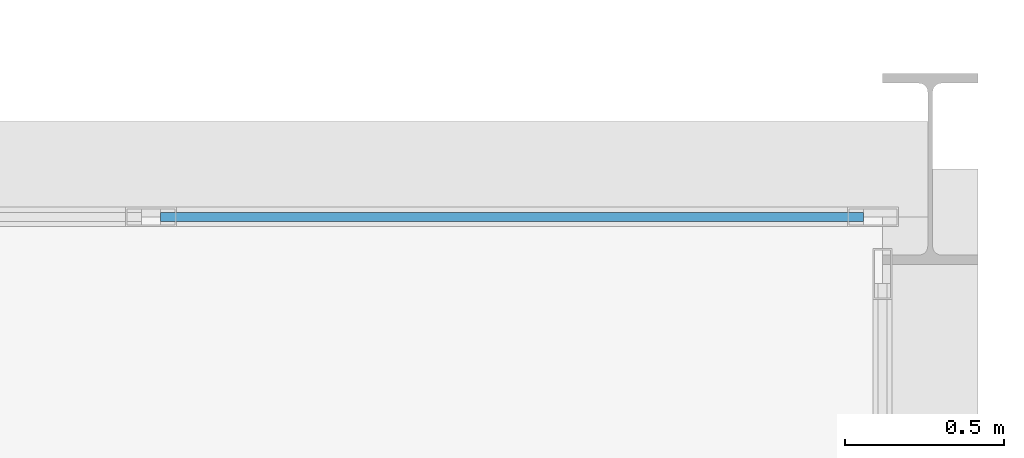
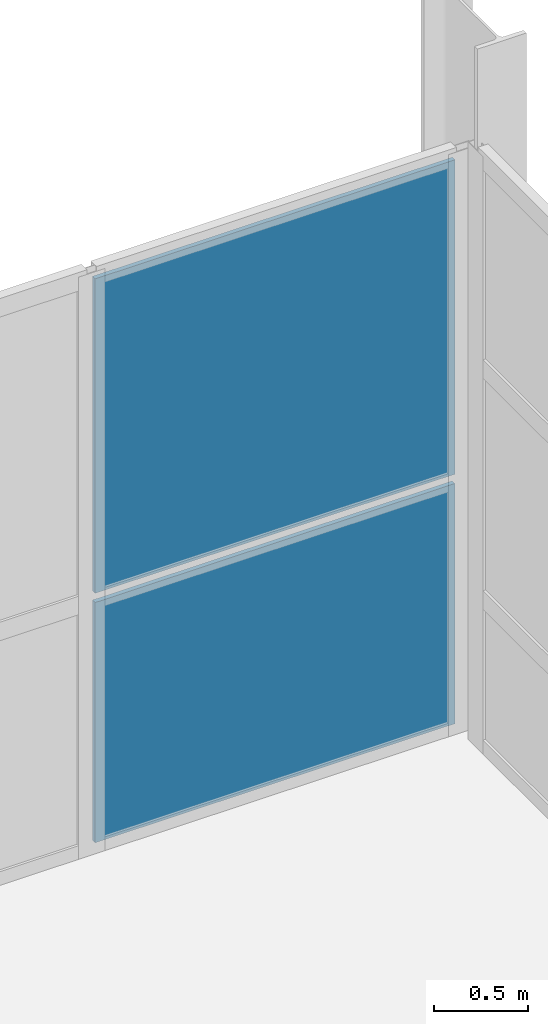
# One storey, part 113 of 130: 2 plates, 1 element without a shape of its own.
"""IFC4 building model written with IfcOpenShell, lengths in metres."""

from ifc_helpers import new_model, si_unit, direction, frame, origin, origin_2d, place, context, subcontext, project, spatial, rectangle, extrude, material, layer, layer_set, type_object, element, aggregate, save


model = new_model("IFC4")

# Units and contexts
model_context = context("Model", 3, precision=1e-05, world=origin(), true_north=direction((0.0, 1.0)))
body_context = subcontext(model_context, "Body", "Model", "MODEL_VIEW")
ifc_project = project(units=[si_unit("LENGTHUNIT", "METRE"), si_unit("AREAUNIT", "SQUARE_METRE"), si_unit("VOLUMEUNIT", "CUBIC_METRE"), si_unit("PLANEANGLEUNIT", "RADIAN"), si_unit("MASSUNIT", "GRAM", prefix="KILO")], contexts=[model_context])

# Site, building, storey
site_placement = place(None, origin())
site = spatial("IfcSite", under=ifc_project, at=site_placement, CompositionType="ELEMENT")
building_placement = place(site_placement, origin())
building = spatial("IfcBuilding", under=site, at=building_placement, Name="Veltarok Museum of Natural Sciences", CompositionType="ELEMENT")
storey_placement = place(building_placement, frame((0.0, 0.0, 12.89990234375)))
storey = spatial("IfcBuildingStorey", under=building, at=storey_placement, Name="L02", CompositionType="ELEMENT", Elevation=12.89990234375)

# Curtain wall, plates
ifc_material = material(Name="Low-iron triple insulated glass", Category="glass")
curtain_wall_type = type_object("IfcCurtainWallType", Name="Curtain Wall System CW-V5N-L02-2-690x378 (CW-V5N L02 690x378cm)", PredefinedType="NOTDEFINED", material=ifc_material)
curtain_wall_placement = place(storey_placement, origin())
curtain_wall = element("IfcCurtainWall", 1, at=curtain_wall_placement, inside=storey, type_object=curtain_wall_type, Name="Curtain Wall CW-V5N-L02-2-690x378 CW-0206", PredefinedType="NOTDEFINED")
ifc_layer = layer(ifc_material, 0.028076171875)
ifc_layer_set = layer_set([ifc_layer], Name="Low-iron triple insulated glass")
plate_type = type_object("IfcPlateType", Name="Triple Low-Iron Glazed Vision Panel 28", PredefinedType="CURTAIN_PANEL", material=ifc_layer_set)
plate_1_placement = place(storey_placement, frame((163.485107421875, 71.85009765625, 0.05810546875), z_axis=(0.0, 0.0, 1.0), x_axis=(-1.0, 0.0, 0.0)))
plate_1 = element("IfcPlate", 2, at=plate_1_placement, type_object=plate_type, Name="CW-V5N-L02-2-690x378 panel 1.1", PredefinedType="CURTAIN_PANEL", context=body_context, shape_type="SweptSolid", body=[
    extrude(rectangle(XDim=2.2099609375, YDim=0.028076171875, at=origin_2d()), origin(), (0.0, 0.0, 1.0), 1.56005859375),
])
plate_2_placement = place(storey_placement, frame((163.485107421875, 71.85009765625, 1.67822265625), z_axis=(0.0, 0.0, 1.0), x_axis=(-1.0, 0.0, 0.0)))
plate_2 = element("IfcPlate", 3, at=plate_2_placement, type_object=plate_type, Name="CW-V5N-L02-2-690x378 panel 1.2", PredefinedType="CURTAIN_PANEL", context=body_context, shape_type="SweptSolid", body=[
    extrude(rectangle(XDim=2.2099609375, YDim=0.028076171875, at=origin_2d()), origin(), (0.0, 0.0, 1.0), 2.0419921875),
])
aggregate(curtain_wall, [plate_1, plate_2])

save(model, "model.ifc")
